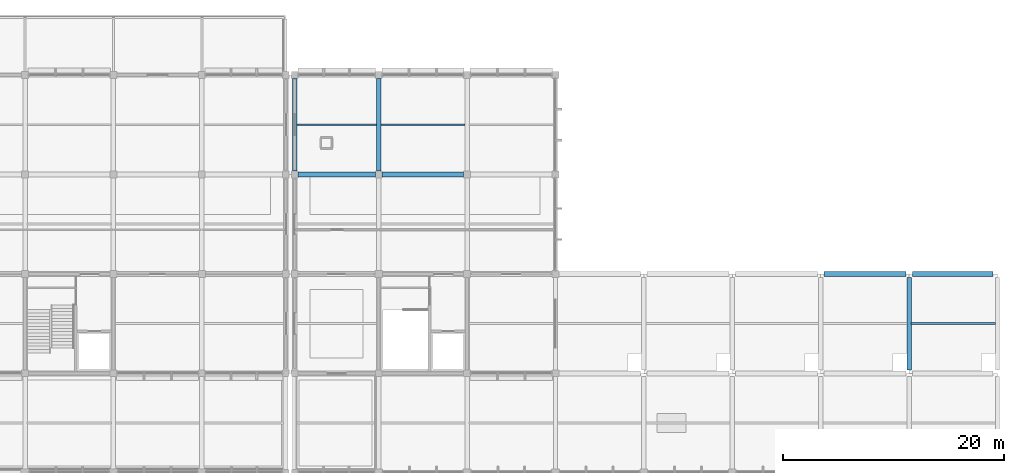
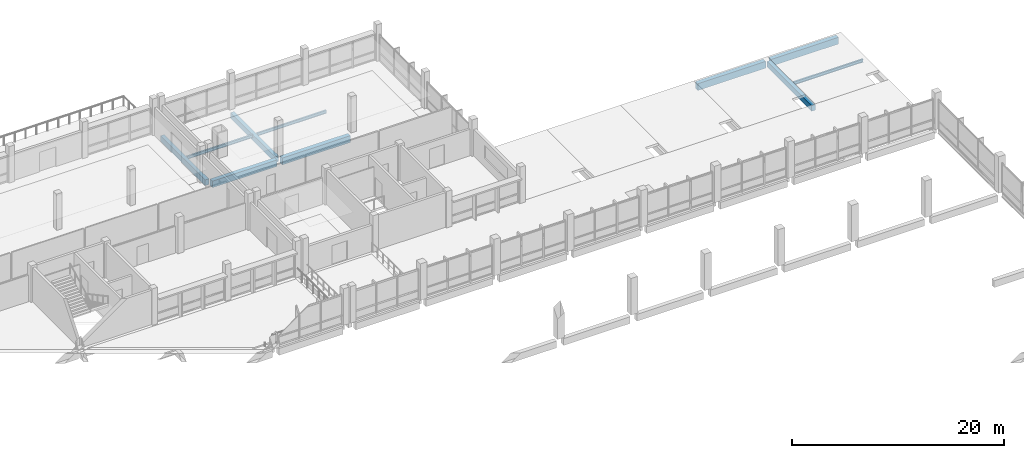
# One storey, part 40 of 70: 10 beams.
"""IFC4 building model written with IfcOpenShell, lengths in metres."""

from ifc_helpers import new_model, si_unit, direction, frame, origin, origin_2d, place, context, subcontext, project, spatial, rectangle, i_section, extrude, material, material_profile, profile_set, type_object, element, save


model = new_model("IFC4")

# Units and contexts
model_context = context("Model", 3, precision=1e-05, world=origin(), true_north=direction((0.0, 1.0)))
body_context = subcontext(model_context, "Body", "Model", "MODEL_VIEW")
ifc_project = project(units=[si_unit("LENGTHUNIT", "METRE"), si_unit("AREAUNIT", "SQUARE_METRE"), si_unit("VOLUMEUNIT", "CUBIC_METRE"), si_unit("PLANEANGLEUNIT", "RADIAN"), si_unit("MASSUNIT", "GRAM", prefix="KILO"), si_unit("THERMODYNAMICTEMPERATUREUNIT", "KELVIN"), si_unit("POWERUNIT", "WATT")], contexts=[model_context])

# Site, building, storey
site_placement = place(None, origin())
site = spatial("IfcSite", under=ifc_project, at=site_placement, CompositionType="ELEMENT")
building_placement = place(site_placement, origin())
building = spatial("IfcBuilding", under=site, at=building_placement, Name="Kronsvod Quay Wholesale Market", CompositionType="ELEMENT")
storey_placement = place(building_placement, frame((0.0, 0.0, 9.0)))
storey = spatial("IfcBuildingStorey", under=building, at=storey_placement, Name="L02", CompositionType="ELEMENT", Elevation=9.0)

# Beams
ifc_material_1 = material(Name="Precast concrete C40/50", Category="concrete")
ifc_material_profile_1 = material_profile(ifc_material_1, rectangle(XDim=0.39990234375, YDim=0.64990234375, at=origin_2d()), Name="PCB400x650")
ifc_profile_set_1 = profile_set([ifc_material_profile_1], Name="Precast concrete C40/50")
beam_type_1 = type_object("IfcBeamType", Name="Beam_PCB400x650", PredefinedType="BEAM", material=ifc_profile_set_1)
for number, where, z_axis, x_axis, name in (
    (1, (128.39990234375, 117.300048828125, -0.635009765625), (0.0, 1.0, 0.0), (-1.0, 0.0, 0.0), "BMY-L02-1284-1170"),
    (2, (136.0, 117.300048828125, -0.635009765625), (0.0, 1.0, 0.0), (-1.0, 0.0, 0.0), "BMY-L02-1360-1170"),
    (3, (184.0, 99.300048828125, -0.635009765625), (0.0, 1.0, 0.0), (-1.0, 0.0, 0.0), "BMY-L02-1840-990"),
):
    element("IfcBeam", number, at=place(storey_placement, frame(where, z_axis=z_axis, x_axis=x_axis)), inside=storey, type_object=beam_type_1, Name=name, PredefinedType="BEAM", context=body_context, shape_type="SweptSolid", body=[
        extrude(rectangle(XDim=0.39990234375, YDim=0.64990234375, at=origin_2d()), origin(), (0.0, 0.0, 1.0), 8.39990234375),
    ])
ifc_material_2 = material(Name="Precast concrete C40/50", Category="concrete")
ifc_material_profile_2 = material_profile(ifc_material_2, rectangle(XDim=0.449951171875, YDim=0.75, at=origin_2d()), Name="PCB450x750")
ifc_profile_set_2 = profile_set([ifc_material_profile_2], Name="Precast concrete C40/50")
beam_type_2 = type_object("IfcBeamType", Name="Beam_PCB450x750", PredefinedType="BEAM", material=ifc_profile_set_2)
beam_1_placement = place(storey_placement, frame((128.699951171875, 117.0, -0.68505859375), z_axis=(1.0, 0.0, 0.0), x_axis=(0.0, 1.0, 0.0)))
element("IfcBeam", 4, at=beam_1_placement, inside=storey, type_object=beam_type_2, Name="BMX-L02-1284-1170", PredefinedType="BEAM", context=body_context, shape_type="SweptSolid", body=[
    extrude(rectangle(XDim=0.449951171875, YDim=0.75, at=origin_2d()), origin(), (0.0, 0.0, 1.0), 7.0),
])
ifc_material_3 = material(Name="Precast concrete C40/50", Category="concrete")
ifc_material_profile_3 = material_profile(ifc_material_3, rectangle(XDim=0.4599609375, YDim=0.780029296875, at=origin_2d()), Name="PB-03")
ifc_profile_set_3 = profile_set([ifc_material_profile_3], Name="Precast concrete C40/50")
beam_type_3 = type_object("IfcBeamType", Name="Beam_PCB460x780", PredefinedType="BEAM", material=ifc_profile_set_3)
beam_2_placement = place(storey_placement, frame((176.300048828125, 108.0, -0.699951171875), z_axis=(1.0, 0.0, 0.0), x_axis=(0.0, 1.0, 0.0)))
element("IfcBeam", 5, at=beam_2_placement, inside=storey, type_object=beam_type_3, Name="BMX-L02-1760-1080", PredefinedType="BEAM", context=body_context, shape_type="SweptSolid", body=[
    extrude(rectangle(XDim=0.4599609375, YDim=0.780029296875, at=origin_2d()), origin(), (0.0, 0.0, 1.0), 7.39990234375),
])
beam_3_placement = place(storey_placement, frame((184.300048828125, 108.0, -0.699951171875), z_axis=(1.0, 0.0, 0.0), x_axis=(0.0, 1.0, 0.0)))
element("IfcBeam", 6, at=beam_3_placement, inside=storey, type_object=beam_type_3, Name="BMX-L02-1840-1080", PredefinedType="BEAM", context=body_context, shape_type="SweptSolid", body=[
    extrude(rectangle(XDim=0.4599609375, YDim=0.780029296875, at=origin_2d()), origin(), (0.0, 0.0, 1.0), 7.300048828125),
])
beam_4_placement = place(storey_placement, frame((136.300048828125, 117.0, -0.699951171875), z_axis=(1.0, 0.0, 0.0), x_axis=(0.0, 1.0, 0.0)))
element("IfcBeam", 7, at=beam_4_placement, inside=storey, type_object=beam_type_3, Name="BMX-L02-1360-1170", PredefinedType="BEAM", context=body_context, shape_type="SweptSolid", body=[
    extrude(rectangle(XDim=0.4599609375, YDim=0.780029296875, at=origin_2d()), origin(), (0.0, 0.0, 1.0), 7.39990234375),
])
ifc_material_4 = material(Name="Steel S355", Category="steel")
ifc_material_profile_4 = material_profile(ifc_material_4, i_section(OverallWidth=0.174072265625, OverallDepth=0.345947265625, WebThickness=0.006103515625, FlangeThickness=0.009033203125, FilletRadius=0.013916015625, at=origin_2d()), Name="35B1")
ifc_profile_set_4 = profile_set([ifc_material_profile_4], Name="Steel S355")
beam_type_4 = type_object("IfcBeamType", Name="Joist_Steel35B1", PredefinedType="JOIST", material=ifc_profile_set_4)
beam_5_placement = place(storey_placement, frame((128.594970703125, 121.5, -0.423095703125), z_axis=(1.0, 0.0, 0.0), x_axis=(0.0, 1.0, 0.0)))
element("IfcBeam", 8, at=beam_5_placement, inside=storey, type_object=beam_type_4, Name="JSTX-L02-1284-1170", PredefinedType="JOIST", context=body_context, shape_type="SweptSolid", body=[
    extrude(i_section(OverallWidth=0.174072265625, OverallDepth=0.345947265625, WebThickness=0.006103515625, FlangeThickness=0.009033203125, FilletRadius=0.013916015625, at=origin_2d()), origin(), (0.0, 0.0, 1.0), 7.2099609375),
])
for number, where, z_axis, x_axis, name in (
    (9, (136.195068359375, 121.5, -0.423095703125), (1.0, 0.0, 0.0), (0.0, 1.0, 0.0), "JSTX-L02-1360-1170"),
    (10, (184.195068359375, 103.5, -0.43310546875), (1.0, 0.0, 0.0), (0.0, 1.0, 0.0), "JSTX-L02-1840-990"),
):
    element("IfcBeam", number, at=place(storey_placement, frame(where, z_axis=z_axis, x_axis=x_axis)), inside=storey, type_object=beam_type_4, Name=name, PredefinedType="JOIST", context=body_context, shape_type="SweptSolid", body=[
        extrude(i_section(OverallWidth=0.174072265625, OverallDepth=0.345947265625, WebThickness=0.006103515625, FlangeThickness=0.009033203125, FilletRadius=0.013916015625, at=origin_2d()), origin(), (0.0, 0.0, 1.0), 7.60986328125),
    ])

save(model, "model.ifc")
